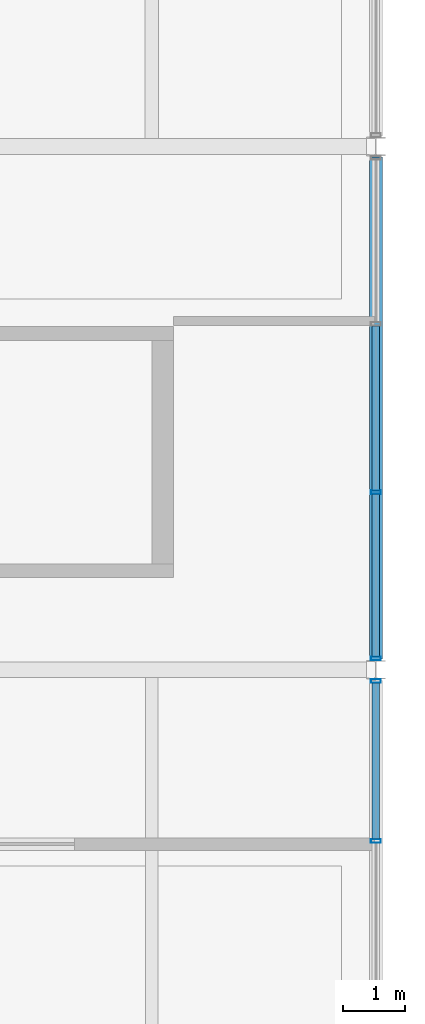
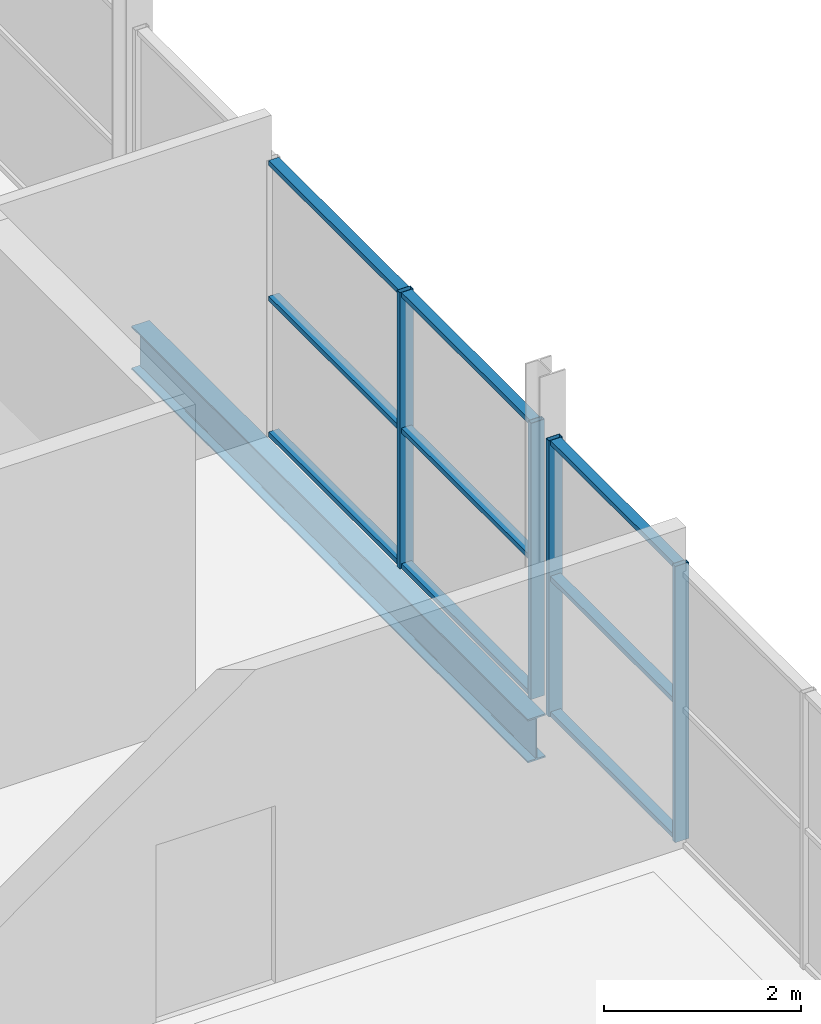
# One storey, part 44 of 68: 13 members, 1 beam, 2 elements without a shape of their own.
"""IFC4 building model written with IfcOpenShell, lengths in metres."""

import ifcopenshell
import ifcopenshell.guid

model = None  # the IFC model being written
_history = None  # IfcOwnerHistory: only IFC2X3 demands one
_inside = {}  # id of a spatial element -> (the spatial element, [elements in it])
_under = {}  # id of a project, library or spatial element -> (it, [spatial elements below it])
_declared = {}  # id of a project -> (the project, [libraries it declares])
_typed = {}  # id of a type object -> (the type object, [elements of that type])
_made_of = {}  # id of a material, layer set ... -> (it, [elements and type objects made of it])


def new_model(schema):
    """Start an empty IFC model of exactly this schema.

    Asked for "IFC4X3", IfcOpenShell would pick the latest addendum, in which some entities
    have other attributes; the version numbers below select the first issue.
    IFC2X3 requires an IfcOwnerHistory on every rooted entity: one is made here for all.
    """
    global model, _history
    if schema == "IFC4X3":
        model = ifcopenshell.file(schema_version=(4, 3, 0, 0))
    else:
        model = ifcopenshell.file(schema=schema)
    _inside.clear()
    _under.clear()
    _declared.clear()
    _typed.clear()
    _made_of.clear()
    _history = None
    if model.schema == "IFC2X3":
        org = make("IfcOrganization", Name="unknown")
        user = make(
            "IfcPersonAndOrganization",
            ThePerson=make("IfcPerson", FamilyName="unknown"),
            TheOrganization=org,
        )
        app = make(
            "IfcApplication",
            ApplicationDeveloper=org,
            Version="unknown",
            ApplicationFullName="unknown",
            ApplicationIdentifier="unknown",
        )
        _history = make(
            "IfcOwnerHistory",
            OwningUser=user,
            OwningApplication=app,
            ChangeAction="ADDED",
            CreationDate=0,
        )
    return model


def make(cls, **values):
    """One entity of the class cls with the attributes given. An attribute that is None is left unset."""
    return model.create_entity(
        cls, **{name: value for name, value in values.items() if value is not None}
    )


def rooted(cls, **values):
    """An entity with a GlobalId (a new one), such as an element, a storey or a relation."""
    return make(cls, GlobalId=ifcopenshell.guid.new(), OwnerHistory=_history, **values)


def si_unit(unit_type, name, prefix=None):
    """IfcSIUnit, for example si_unit("LENGTHUNIT", "METRE", prefix="MILLI")."""
    return make("IfcSIUnit", UnitType=unit_type, Prefix=prefix, Name=name)


def assignment(units):
    """IfcUnitAssignment: the units of a project."""
    return None if units is None else make("IfcUnitAssignment", Units=units)


def point(xyz):
    """IfcCartesianPoint."""
    return None if xyz is None else make("IfcCartesianPoint", Coordinates=xyz)


def direction(xyz):
    """IfcDirection."""
    return None if xyz is None else make("IfcDirection", DirectionRatios=xyz)


def frame(location, z_axis=None, x_axis=None):
    """IfcAxis2Placement3D, a coordinate frame: its origin and axes. An axis left out is left unset."""
    return make(
        "IfcAxis2Placement3D",
        Location=point(location),
        Axis=direction(z_axis),
        RefDirection=direction(x_axis),
    )


def frame_2d(location, x_axis=None):
    """IfcAxis2Placement2D, a coordinate frame in the plane: its origin and x axis."""
    return make(
        "IfcAxis2Placement2D", Location=point(location), RefDirection=direction(x_axis)
    )


def origin():
    """The frame at (0, 0, 0) with its axes left unset."""
    return frame((0.0, 0.0, 0.0))


def origin_2d():
    """The frame at (0, 0) in the plane with its x axis left unset."""
    return frame_2d((0.0, 0.0))


def place(relative_to, where):
    """IfcLocalPlacement: puts the frame where relative to a parent placement (None: the world)."""
    return make(
        "IfcLocalPlacement", PlacementRelTo=relative_to, RelativePlacement=where
    )


def context(
    kind, dimensions, precision=None, world=None, true_north=None, identifier=None
):
    """IfcGeometricRepresentationContext, for example the 3D "Model" context."""
    return make(
        "IfcGeometricRepresentationContext",
        ContextIdentifier=identifier,
        ContextType=kind,
        CoordinateSpaceDimension=dimensions,
        Precision=precision,
        WorldCoordinateSystem=world,
        TrueNorth=true_north,
    )


def subcontext(parent, identifier, kind, view, scale=None):
    """IfcGeometricRepresentationSubContext, for example "Body" below "Model"."""
    return make(
        "IfcGeometricRepresentationSubContext",
        ContextIdentifier=identifier,
        ContextType=kind,
        ParentContext=parent,
        TargetScale=scale,
        TargetView=view,
    )


def project(units=None, contexts=None):
    """IfcProject with its units and contexts."""
    return rooted(
        "IfcProject",
        Name="project",
        RepresentationContexts=contexts,
        UnitsInContext=assignment(units),
    )


def spatial(cls, under=None, at=None, **own):
    """A site, building, storey or space (cls), placed at a placement, below another one or the project."""
    s = rooted(cls, ObjectPlacement=at, **own)
    if under is not None:
        _under.setdefault(under.id(), (under, []))[1].append(s)
    return s


def profile(cls, at=None, kind="AREA", **sizes):
    """A parametric profile (cls). Its sizes go by their IFC names, for example OverallWidth=200.0."""
    return make(cls, ProfileType=kind, Position=at, **sizes)


def hollow_rectangle(**sizes):
    """IfcRectangleHollowProfileDef."""
    return profile("IfcRectangleHollowProfileDef", **sizes)


def i_section(**sizes):
    """IfcIShapeProfileDef."""
    return profile("IfcIShapeProfileDef", **sizes)


def extrude(swept, where, along, depth):
    """IfcExtrudedAreaSolid: the profile swept, set in the frame where, extruded along a direction by depth."""
    return make(
        "IfcExtrudedAreaSolid",
        SweptArea=swept,
        Position=where,
        ExtrudedDirection=direction(along),
        Depth=depth,
    )


def shape(context_of_items, identifier, shape_type, items):
    """IfcShapeRepresentation: the items that make up one representation, for example the "Body"."""
    return make(
        "IfcShapeRepresentation",
        ContextOfItems=context_of_items,
        RepresentationIdentifier=identifier,
        RepresentationType=shape_type,
        Items=items,
    )


def material(Name=None, Category=None):
    """IfcMaterial."""
    return make("IfcMaterial", Name=Name, Category=Category)


def material_profile(
    of_material, cross_section, Name=None, Category=None, Priority=None
):
    """IfcMaterialProfile: a cross section and its material."""
    return make(
        "IfcMaterialProfile",
        Name=Name,
        Material=of_material,
        Profile=cross_section,
        Priority=Priority,
        Category=Category,
    )


def profile_set(profiles, Name=None, composite=None):
    """IfcMaterialProfileSet."""
    return make(
        "IfcMaterialProfileSet",
        Name=Name,
        MaterialProfiles=profiles,
        CompositeProfile=composite,
    )


def made_of(thing, what):
    """Note that an element or type object is made of a material, layer set ...; save() writes the relation."""
    if what is not None:
        _made_of.setdefault(what.id(), (what, []))[1].append(thing)
    return thing


def type_object(cls, material=None, **own):
    """A type object (cls), such as IfcWallType, which elements share."""
    return made_of(rooted(cls, **own), material)


def element(
    cls,
    number,
    at=None,
    inside=None,
    cuts=None,
    type_object=None,
    material=None,
    context=None,
    identifier="Body",
    shape_type=None,
    held_by="IfcProductDefinitionShape",
    body=None,
    shapes=None,
    **own,
):
    """One element of the class cls, such as IfcWall. Its Tag is "e" and its number.

    at: its placement. inside: the storey or other place that contains it. cuts: it is an
    opening in that element (IfcRelVoidsElement). A single representation is given by context,
    identifier, shape_type and body (its items); several are given by shapes. held_by: the class
    of the entity that holds the representations. save() writes the other relations.
    """
    e = rooted(cls, Tag="e%d" % number, ObjectPlacement=at, **own)
    if body is not None:
        shapes = [shape(context, identifier, shape_type, body)]
    if shapes is not None:
        e.Representation = make(held_by, Representations=shapes)
    if inside is not None:
        _inside.setdefault(inside.id(), (inside, []))[1].append(e)
    if cuts is not None:
        rooted(
            "IfcRelVoidsElement", RelatingBuildingElement=cuts, RelatedOpeningElement=e
        )
    if type_object is not None:
        _typed.setdefault(type_object.id(), (type_object, []))[1].append(e)
    return made_of(e, material)


def aggregate(whole, parts):
    """IfcRelAggregates: a whole, such as a stair, and the parts it consists of."""
    return rooted("IfcRelAggregates", RelatingObject=whole, RelatedObjects=parts)


def save(model, path):
    """Write the relations noted so far, then the file.

    IfcRelAggregates (storeys below a building ...), IfcRelContainedInSpatialStructure (elements
    in a storey), IfcRelDefinesByType, IfcRelAssociatesMaterial and IfcRelDeclares: one each for
    every whole, place, type object, material and project.
    """
    for whole, parts in _under.values():
        aggregate(whole, parts)
    for where, things in _inside.values():
        rooted(
            "IfcRelContainedInSpatialStructure",
            RelatedElements=things,
            RelatingStructure=where,
        )
    for kind, things in _typed.values():
        rooted("IfcRelDefinesByType", RelatedObjects=things, RelatingType=kind)
    for what, things in _made_of.values():
        rooted("IfcRelAssociatesMaterial", RelatedObjects=things, RelatingMaterial=what)
    for by, libraries in _declared.values():
        rooted("IfcRelDeclares", RelatingContext=by, RelatedDefinitions=libraries)
    model.write(path)


model = new_model("IFC4")

# Units and contexts
model_context = context("Model", 3, precision=1e-05, world=origin(), true_north=direction((0.0, 1.0)))
body_context = subcontext(model_context, "Body", "Model", "MODEL_VIEW")
ifc_project = project(units=[si_unit("LENGTHUNIT", "METRE"), si_unit("AREAUNIT", "SQUARE_METRE"), si_unit("VOLUMEUNIT", "CUBIC_METRE"), si_unit("PLANEANGLEUNIT", "RADIAN"), si_unit("MASSUNIT", "GRAM", prefix="KILO"), si_unit("THERMODYNAMICTEMPERATUREUNIT", "KELVIN")], contexts=[model_context])

# Site, building, storey
site_placement = place(None, origin())
site = spatial("IfcSite", under=ifc_project, at=site_placement, CompositionType="ELEMENT")
building_placement = place(site_placement, origin())
building = spatial("IfcBuilding", under=site, at=building_placement, Name="Nduvali Passage Aquatics Centre", CompositionType="ELEMENT")
storey_placement = place(building_placement, frame((0.0, 0.0, 13.199951171875)))
storey = spatial("IfcBuildingStorey", under=building, at=storey_placement, Name="L03", CompositionType="ELEMENT", Elevation=13.199951171875)

# Curtain wall, members
ifc_material_1 = material(Name="Aluminium EN AW-6063 T6", Category="aluminium")
curtain_wall_type = type_object("IfcCurtainWallType", Name="ENV-CW-PASS", PredefinedType="NOTDEFINED", material=ifc_material_1)
curtain_wall_1_placement = place(storey_placement, origin())
curtain_wall_1 = element("IfcCurtainWall", 1, at=curtain_wall_1_placement, inside=storey, type_object=curtain_wall_type, Name="L03 East Passage Teaching CW 119", PredefinedType="NOTDEFINED")
ifc_material_profile_1 = material_profile(ifc_material_1, hollow_rectangle(XDim=0.06005859375, YDim=0.159912109375, WallThickness=0.00390625, at=origin_2d()), Name="ALU MULLION 60x160x4")
ifc_profile_set_1 = profile_set([ifc_material_profile_1], Name="Aluminium EN AW-6063 T6")
member_type_1 = type_object("IfcMemberType", Name="ENV-MEM-MUL60", PredefinedType="MULLION", material=ifc_profile_set_1)
member_1_placement = place(storey_placement, frame((126.0, 98.050048828125, 0.0), z_axis=(0.0, 0.0, 1.0), x_axis=(0.0, 1.0, 0.0)))
member_1 = element("IfcMember", 2, at=member_1_placement, type_object=member_type_1, Name="East Passage Teaching CW Mullion 3", PredefinedType="MULLION", context=body_context, shape_type="SweptSolid", body=[
    extrude(hollow_rectangle(XDim=0.06005859375, YDim=0.159912109375, WallThickness=0.00390625, at=origin_2d()), origin(), (0.0, 0.0, 1.0), 3.4267578125),
])
member_2_placement = place(storey_placement, frame((126.0, 100.6201171875, 0.0), z_axis=(0.0, 0.0, 1.0), x_axis=(0.0, 1.0, 0.0)))
member_2 = element("IfcMember", 3, at=member_2_placement, type_object=member_type_1, Name="East Passage Teaching CW Mullion 4", PredefinedType="MULLION", context=body_context, shape_type="SweptSolid", body=[
    extrude(hollow_rectangle(XDim=0.06005859375, YDim=0.159912109375, WallThickness=0.00390625, at=origin_2d()), origin(), (0.0, 0.0, 1.0), 3.4267578125),
])

curtain_wall_2_placement = place(storey_placement, origin())
curtain_wall_2 = element("IfcCurtainWall", 4, at=curtain_wall_2_placement, inside=storey, type_object=curtain_wall_type, Name="L03 East Passage Teaching CW 123", PredefinedType="NOTDEFINED")
member_3_placement = place(storey_placement, frame((126.0, 100.97998046875, 0.0), z_axis=(0.0, 0.0, 1.0), x_axis=(0.0, 1.0, 0.0)))
member_3 = element("IfcMember", 5, at=member_3_placement, type_object=member_type_1, Name="East Passage Teaching CW Mullion 1", PredefinedType="MULLION", context=body_context, shape_type="SweptSolid", body=[
    extrude(hollow_rectangle(XDim=0.06005859375, YDim=0.159912109375, WallThickness=0.00390625, at=origin_2d()), origin(), (0.0, 0.0, 1.0), 3.4267578125),
])
member_4_placement = place(storey_placement, frame((126.0, 103.64990234375, 0.0), z_axis=(0.0, 0.0, 1.0), x_axis=(0.0, 1.0, 0.0)))
member_4 = element("IfcMember", 6, at=member_4_placement, type_object=member_type_1, Name="East Passage Teaching CW Mullion 2", PredefinedType="MULLION", context=body_context, shape_type="SweptSolid", body=[
    extrude(hollow_rectangle(XDim=0.06005859375, YDim=0.159912109375, WallThickness=0.00390625, at=origin_2d()), origin(), (0.0, 0.0, 1.0), 3.4267578125),
])

# Member
ifc_material_profile_2 = material_profile(ifc_material_1, hollow_rectangle(XDim=0.1201171875, YDim=0.06005859375, WallThickness=0.00390625, at=origin_2d()), Name="ALU TRANSOM 120x60x4")
ifc_profile_set_2 = profile_set([ifc_material_profile_2], Name="Aluminium EN AW-6063 T6")
member_type_2 = type_object("IfcMemberType", Name="ENV-MEM-TRN60", PredefinedType="USERDEFINED", material=ifc_profile_set_2)
member_5_placement = place(storey_placement, frame((126.0, 98.080078125, 0.030029296875), z_axis=(0.0, 1.0, 0.0), x_axis=(-1.0, 0.0, 0.0)))
member_5 = element("IfcMember", 7, at=member_5_placement, type_object=member_type_2, Name="East Passage Teaching CW Transom B3-R0", ObjectType="TRANSOM", PredefinedType="USERDEFINED", context=body_context, shape_type="SweptSolid", body=[
    extrude(hollow_rectangle(XDim=0.1201171875, YDim=0.06005859375, WallThickness=0.00390625, at=origin_2d()), origin(), (0.0, 0.0, 1.0), 2.510009765625),
])

member_6_placement = place(storey_placement, frame((126.0, 98.080078125, 1.71337890625), z_axis=(0.0, 1.0, 0.0), x_axis=(-1.0, 0.0, 0.0)))
member_6 = element("IfcMember", 8, at=member_6_placement, type_object=member_type_2, Name="East Passage Teaching CW Transom B3-R1", ObjectType="TRANSOM", PredefinedType="USERDEFINED", context=body_context, shape_type="SweptSolid", body=[
    extrude(hollow_rectangle(XDim=0.1201171875, YDim=0.06005859375, WallThickness=0.00390625, at=origin_2d()), origin(), (0.0, 0.0, 1.0), 2.510009765625),
])

member_7_placement = place(storey_placement, frame((126.0, 98.080078125, 3.396728515625), z_axis=(0.0, 1.0, 0.0), x_axis=(-1.0, 0.0, 0.0)))
member_7 = element("IfcMember", 9, at=member_7_placement, type_object=member_type_2, Name="East Passage Teaching CW Transom B3-R2", ObjectType="TRANSOM", PredefinedType="USERDEFINED", context=body_context, shape_type="SweptSolid", body=[
    extrude(hollow_rectangle(XDim=0.1201171875, YDim=0.06005859375, WallThickness=0.00390625, at=origin_2d()), origin(), (0.0, 0.0, 1.0), 2.510009765625),
])

aggregate(curtain_wall_1, [member_1, member_2, member_5, member_6, member_7])

member_8_placement = place(storey_placement, frame((126.0, 101.010009765625, 0.030029296875), z_axis=(0.0, 1.0, 0.0), x_axis=(-1.0, 0.0, 0.0)))
member_8 = element("IfcMember", 10, at=member_8_placement, type_object=member_type_2, Name="East Passage Teaching CW Transom B1-R0", ObjectType="TRANSOM", PredefinedType="USERDEFINED", context=body_context, shape_type="SweptSolid", body=[
    extrude(hollow_rectangle(XDim=0.1201171875, YDim=0.06005859375, WallThickness=0.00390625, at=origin_2d()), origin(), (0.0, 0.0, 1.0), 2.610107421875),
])

member_9_placement = place(storey_placement, frame((126.0, 101.010009765625, 1.71337890625), z_axis=(0.0, 1.0, 0.0), x_axis=(-1.0, 0.0, 0.0)))
member_9 = element("IfcMember", 11, at=member_9_placement, type_object=member_type_2, Name="East Passage Teaching CW Transom B1-R1", ObjectType="TRANSOM", PredefinedType="USERDEFINED", context=body_context, shape_type="SweptSolid", body=[
    extrude(hollow_rectangle(XDim=0.1201171875, YDim=0.06005859375, WallThickness=0.00390625, at=origin_2d()), origin(), (0.0, 0.0, 1.0), 2.610107421875),
])

member_10_placement = place(storey_placement, frame((126.0, 101.010009765625, 3.396728515625), z_axis=(0.0, 1.0, 0.0), x_axis=(-1.0, 0.0, 0.0)))
member_10 = element("IfcMember", 12, at=member_10_placement, type_object=member_type_2, Name="East Passage Teaching CW Transom B1-R2", ObjectType="TRANSOM", PredefinedType="USERDEFINED", context=body_context, shape_type="SweptSolid", body=[
    extrude(hollow_rectangle(XDim=0.1201171875, YDim=0.06005859375, WallThickness=0.00390625, at=origin_2d()), origin(), (0.0, 0.0, 1.0), 2.610107421875),
])

member_11_placement = place(storey_placement, frame((126.0, 103.679931640625, 0.030029296875), z_axis=(0.0, 1.0, 0.0), x_axis=(-1.0, 0.0, 0.0)))
member_11 = element("IfcMember", 13, at=member_11_placement, type_object=member_type_2, Name="East Passage Teaching CW Transom B2-R0", ObjectType="TRANSOM", PredefinedType="USERDEFINED", context=body_context, shape_type="SweptSolid", body=[
    extrude(hollow_rectangle(XDim=0.1201171875, YDim=0.06005859375, WallThickness=0.00390625, at=origin_2d()), origin(), (0.0, 0.0, 1.0), 2.64013671875),
])

member_12_placement = place(storey_placement, frame((126.0, 103.679931640625, 1.71337890625), z_axis=(0.0, 1.0, 0.0), x_axis=(-1.0, 0.0, 0.0)))
member_12 = element("IfcMember", 14, at=member_12_placement, type_object=member_type_2, Name="East Passage Teaching CW Transom B2-R1", ObjectType="TRANSOM", PredefinedType="USERDEFINED", context=body_context, shape_type="SweptSolid", body=[
    extrude(hollow_rectangle(XDim=0.1201171875, YDim=0.06005859375, WallThickness=0.00390625, at=origin_2d()), origin(), (0.0, 0.0, 1.0), 2.64013671875),
])

member_13_placement = place(storey_placement, frame((126.0, 103.679931640625, 3.396728515625), z_axis=(0.0, 1.0, 0.0), x_axis=(-1.0, 0.0, 0.0)))
member_13 = element("IfcMember", 15, at=member_13_placement, type_object=member_type_2, Name="East Passage Teaching CW Transom B2-R2", ObjectType="TRANSOM", PredefinedType="USERDEFINED", context=body_context, shape_type="SweptSolid", body=[
    extrude(hollow_rectangle(XDim=0.1201171875, YDim=0.06005859375, WallThickness=0.00390625, at=origin_2d()), origin(), (0.0, 0.0, 1.0), 2.64013671875),
])

aggregate(curtain_wall_2, [member_3, member_4, member_8, member_9, member_10, member_11, member_12, member_13])

# Beam
ifc_material_2 = material(Name="Steel S355", Category="steel")
ifc_material_profile_3 = material_profile(ifc_material_2, i_section(OverallWidth=0.210693359375, OverallDepth=0.53955078125, WebThickness=0.01171875, FlangeThickness=0.018798828125, FilletRadius=0.0126953125, at=origin_2d()), Name="UKB 533x210x109")
ifc_profile_set_3 = profile_set([ifc_material_profile_3], Name="Steel S355")
beam_type = type_object("IfcBeamType", Name="STR-BM-UKB533-EXT", PredefinedType="BEAM", material=ifc_profile_set_3)
beam_placement = place(storey_placement, frame((126.0, 100.97509765625, -0.523681640625), z_axis=(0.0, 1.0, 0.0), x_axis=(-1.0, 0.0, 0.0)))
element("IfcBeam", 16, at=beam_placement, inside=storey, type_object=beam_type, Name="L03 Primary Y-Girder B6E-1282", PredefinedType="BEAM", context=body_context, shape_type="SweptSolid", body=[
    extrude(i_section(OverallWidth=0.210693359375, OverallDepth=0.53955078125, WebThickness=0.01171875, FlangeThickness=0.018798828125, FilletRadius=0.0126953125, at=origin_2d()), origin(), (0.0, 0.0, 1.0), 8.054931640625),
])

save(model, "model.ifc")
